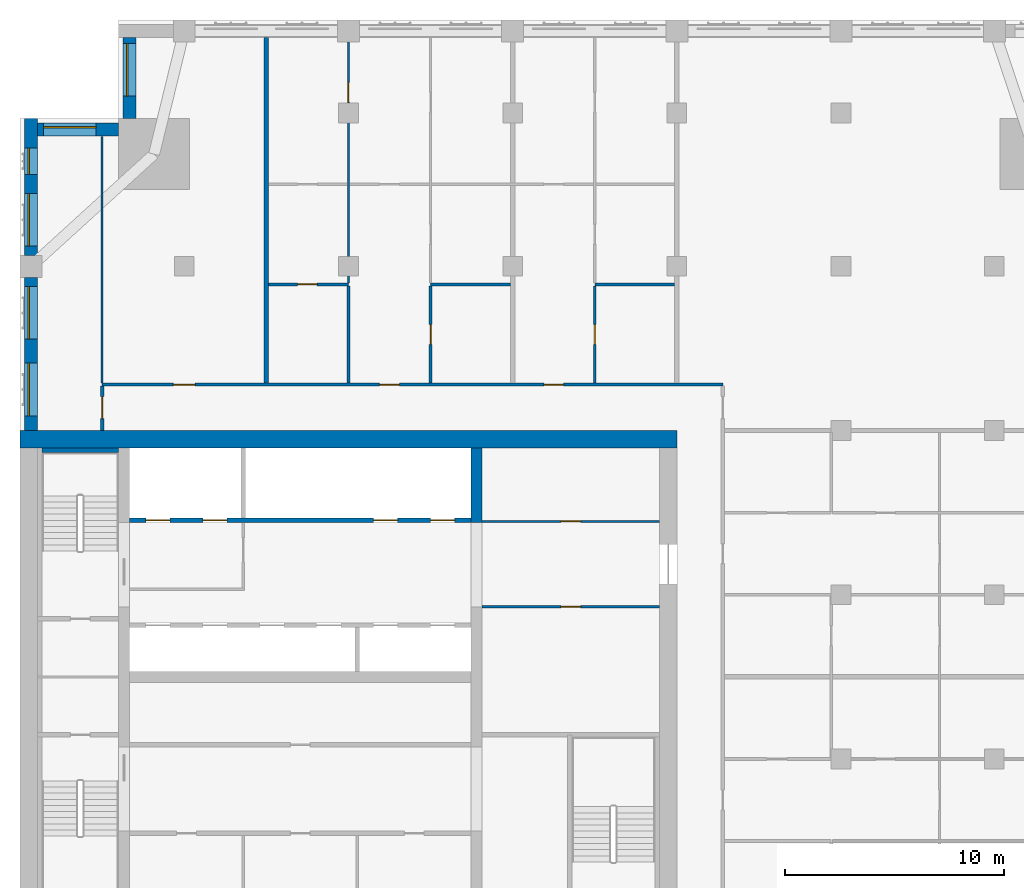
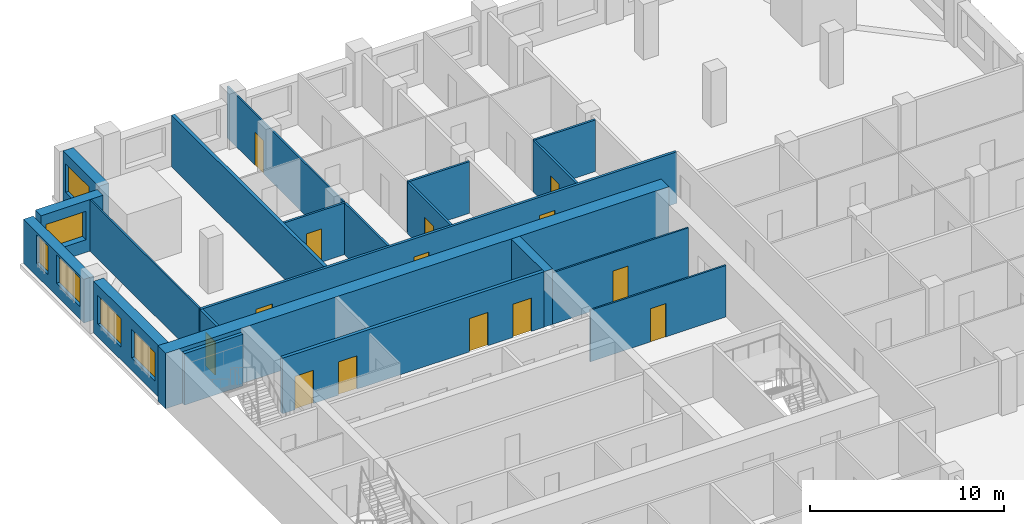
# One storey, part 10 of 14: 21 walls, 14 doors, 6 windows, 20 openings.
"""IFC4 building model written with IfcOpenShell, lengths in metres."""

from ifc_helpers import new_model, si_unit, direction, frame, frame_2d, origin, place, context, subcontext, project, spatial, rectangle, extrude, material, layer, layer_set, type_object, element, fill, save


model = new_model("IFC4")

# Units and contexts
model_context = context("Model", 3, precision=1e-05, world=origin(), true_north=direction((0.0, 1.0)))
body_context = subcontext(model_context, "Body", "Model", "MODEL_VIEW")
ifc_project = project(units=[si_unit("LENGTHUNIT", "METRE"), si_unit("AREAUNIT", "SQUARE_METRE"), si_unit("VOLUMEUNIT", "CUBIC_METRE"), si_unit("PLANEANGLEUNIT", "RADIAN"), si_unit("MASSUNIT", "GRAM", prefix="KILO")], contexts=[model_context])

# Site, building, storey
site_placement = place(None, origin())
site = spatial("IfcSite", under=ifc_project, at=site_placement, CompositionType="ELEMENT")
building_placement = place(site_placement, origin())
building = spatial("IfcBuilding", under=site, at=building_placement, Name="Tamorin Gate", CompositionType="ELEMENT")
storey_placement = place(building_placement, frame((0.0, 0.0, 207.199951171875)))
storey = spatial("IfcBuildingStorey", under=building, at=storey_placement, Name="L51", CompositionType="ELEMENT", Elevation=207.199951171875)

# Wall, opening, window
ifc_material_1 = material(Name="Precast concrete C40/50", Category="concrete")
ifc_layer_1 = layer(ifc_material_1, 0.60009765625)
ifc_layer_set_1 = layer_set([ifc_layer_1], Name="Precast concrete C40/50")
wall_type_1 = type_object("IfcWallType", Name="Board-marked concrete facade panel 600", PredefinedType="SOLIDWALL", material=ifc_layer_set_1)
wall_1_placement = place(storey_placement, frame((35.0, 100.449951171875, 0.0), z_axis=(0.0, 0.0, 1.0), x_axis=(0.0, -1.0, 0.0)))
wall_1 = element("IfcWall", 1, at=wall_1_placement, inside=storey, type_object=wall_type_1, Name="Facade panel", PredefinedType="SOLIDWALL", context=body_context, shape_type="SweptSolid", body=[
    extrude(rectangle(XDim=3.699951171875, YDim=0.60009765625, at=frame_2d((1.85009765625, 0.0))), origin(), (0.0, 0.0, 1.0), 3.25),
])
opening_1_placement = place(wall_1_placement, frame((0.27490234375, 0.0, 0.800048828125)))
opening_1 = element("IfcOpeningElement", 2, at=opening_1_placement, cuts=wall_1, Name="Opening WN1", PredefinedType="OPENING", context=body_context, shape_type="SweptSolid", body=[
    extrude(rectangle(XDim=2.39990234375, YDim=1.800048828125, at=frame_2d((1.199951171875, 0.89990234375))), frame((0.0, 0.31005859375, 0.0), z_axis=(0.0, -1.0, 0.0), x_axis=(1.0, 0.0, 0.0)), (0.0, 0.0, 1.0), 0.6201171875),
])
ifc_material_2 = material(Name="Clear glass in aluminium frame", Category="aluminium")
window_type_1 = type_object("IfcWindowType", Name="Deep-set window 2400x1800", PartitioningType="SINGLE_PANEL", PredefinedType="WINDOW", material=ifc_material_2)
window_1_placement = place(opening_1_placement, origin())
window_1 = element("IfcWindow", 3, at=window_1_placement, inside=storey, type_object=window_type_1, Name="Deep-set window", OverallHeight=1.800048828125, OverallWidth=2.39990234375, PartitioningType="SINGLE_PANEL", PredefinedType="WINDOW", context=body_context, shape_type="SweptSolid", body=[
    extrude(rectangle(XDim=2.39990234375, YDim=1.800048828125, at=frame_2d((1.199951171875, 0.89990234375))), frame((0.0, -0.070068359375, 0.0), z_axis=(0.0, -1.0, 0.0), x_axis=(1.0, 0.0, 0.0)), (0.0, 0.0, 1.0), 0.06005859375),
])
fill(opening_1, window_1)

wall_2_placement = place(storey_placement, frame((34.5, 96.25, 0.0), z_axis=(0.0, 0.0, 1.0), x_axis=(-1.0, 0.0, 0.0)))
wall_2 = element("IfcWall", 4, at=wall_2_placement, inside=storey, type_object=wall_type_1, Name="Facade panel", PredefinedType="SOLIDWALL", context=body_context, shape_type="SweptSolid", body=[
    extrude(rectangle(XDim=3.699951171875, YDim=0.60009765625, at=frame_2d((1.85009765625, 0.0))), origin(), (0.0, 0.0, 1.0), 3.25),
])
opening_2_placement = place(wall_2_placement, frame((1.02490234375, 0.0, 0.800048828125)))
opening_2 = element("IfcOpeningElement", 5, at=opening_2_placement, cuts=wall_2, Name="Opening WN1", PredefinedType="OPENING", context=body_context, shape_type="SweptSolid", body=[
    extrude(rectangle(XDim=2.39990234375, YDim=1.800048828125, at=frame_2d((1.199951171875, 0.89990234375))), frame((0.0, 0.31005859375, 0.0), z_axis=(0.0, -1.0, 0.0), x_axis=(1.0, 0.0, 0.0)), (0.0, 0.0, 1.0), 0.6201171875),
])
window_2_placement = place(opening_2_placement, origin())
window_2 = element("IfcWindow", 6, at=window_2_placement, inside=storey, type_object=window_type_1, Name="Deep-set window", OverallHeight=1.800048828125, OverallWidth=2.39990234375, PartitioningType="SINGLE_PANEL", PredefinedType="WINDOW", context=body_context, shape_type="SweptSolid", body=[
    extrude(rectangle(XDim=2.39990234375, YDim=1.800048828125, at=frame_2d((1.199951171875, 0.89990234375))), frame((0.0, -0.070068359375, 0.0), z_axis=(0.0, -1.0, 0.0), x_axis=(1.0, 0.0, 0.0)), (0.0, 0.0, 1.0), 0.06005859375),
])
fill(opening_2, window_2)

# Wall, openings, windows
wall_3_placement = place(storey_placement, frame((30.5, 96.75, 0.0), z_axis=(0.0, 0.0, 1.0), x_axis=(0.0, -1.0, 0.0)))
wall_3 = element("IfcWall", 7, at=wall_3_placement, inside=storey, type_object=wall_type_1, Name="Facade panel", PredefinedType="SOLIDWALL", context=body_context, shape_type="SweptSolid", body=[
    extrude(rectangle(XDim=6.25, YDim=0.60009765625, at=frame_2d((3.125, 0.0))), origin(), (0.0, 0.0, 1.0), 2.75),
])
opening_3_placement = place(wall_3_placement, frame((3.425048828125, 0.0, 0.800048828125)))
opening_3 = element("IfcOpeningElement", 8, at=opening_3_placement, cuts=wall_3, Name="Opening WN1", PredefinedType="OPENING", context=body_context, shape_type="SweptSolid", body=[
    extrude(rectangle(XDim=2.39990234375, YDim=1.800048828125, at=frame_2d((1.199951171875, 0.89990234375))), frame((0.0, 0.31005859375, 0.0), z_axis=(0.0, -1.0, 0.0), x_axis=(1.0, 0.0, 0.0)), (0.0, 0.0, 1.0), 0.6201171875),
])
opening_4_placement = place(wall_3_placement, frame((1.35009765625, 0.0, 0.800048828125)))
opening_4 = element("IfcOpeningElement", 9, at=opening_4_placement, cuts=wall_3, Name="Opening WN3", PredefinedType="OPENING", context=body_context, shape_type="SweptSolid", body=[
    extrude(rectangle(XDim=1.199951171875, YDim=1.800048828125, at=frame_2d((0.60009765625, 0.89990234375))), frame((0.0, 0.31005859375, 0.0), z_axis=(0.0, -1.0, 0.0), x_axis=(1.0, 0.0, 0.0)), (0.0, 0.0, 1.0), 0.6201171875),
])
window_type_2 = type_object("IfcWindowType", Name="Deep-set window 1200x1800", PartitioningType="SINGLE_PANEL", PredefinedType="WINDOW", material=ifc_material_2)
window_3_placement = place(opening_4_placement, origin())
window_3 = element("IfcWindow", 10, at=window_3_placement, inside=storey, type_object=window_type_2, Name="Deep-set window", OverallHeight=1.800048828125, OverallWidth=1.199951171875, PartitioningType="SINGLE_PANEL", PredefinedType="WINDOW", context=body_context, shape_type="SweptSolid", body=[
    extrude(rectangle(XDim=1.199951171875, YDim=1.800048828125, at=frame_2d((0.60009765625, 0.89990234375))), frame((0.0, -0.070068359375, 0.0), z_axis=(0.0, -1.0, 0.0), x_axis=(1.0, 0.0, 0.0)), (0.0, 0.0, 1.0), 0.06005859375),
])
fill(opening_4, window_3)
window_4_placement = place(opening_3_placement, origin())
window_4 = element("IfcWindow", 11, at=window_4_placement, inside=storey, type_object=window_type_1, Name="Deep-set window", OverallHeight=1.800048828125, OverallWidth=2.39990234375, PartitioningType="SINGLE_PANEL", PredefinedType="WINDOW", context=body_context, shape_type="SweptSolid", body=[
    extrude(rectangle(XDim=2.39990234375, YDim=1.800048828125, at=frame_2d((1.199951171875, 0.89990234375))), frame((0.0, -0.070068359375, 0.0), z_axis=(0.0, -1.0, 0.0), x_axis=(1.0, 0.0, 0.0)), (0.0, 0.0, 1.0), 0.06005859375),
])
fill(opening_3, window_4)

wall_4_placement = place(storey_placement, frame((30.5, 89.5, 0.0), z_axis=(0.0, 0.0, 1.0), x_axis=(0.0, -1.0, 0.0)))
wall_4 = element("IfcWall", 12, at=wall_4_placement, inside=storey, type_object=wall_type_1, Name="Facade panel", PredefinedType="SOLIDWALL", context=body_context, shape_type="SweptSolid", body=[
    extrude(rectangle(XDim=7.0, YDim=0.60009765625, at=frame_2d((3.5, 0.0))), origin(), (0.0, 0.0, 1.0), 3.25),
])
opening_5_placement = place(wall_4_placement, frame((3.925048828125, 0.0, 0.800048828125)))
opening_5 = element("IfcOpeningElement", 13, at=opening_5_placement, cuts=wall_4, Name="Opening WN1", PredefinedType="OPENING", context=body_context, shape_type="SweptSolid", body=[
    extrude(rectangle(XDim=2.39990234375, YDim=1.800048828125, at=frame_2d((1.199951171875, 0.89990234375))), frame((0.0, 0.31005859375, 0.0), z_axis=(0.0, -1.0, 0.0), x_axis=(1.0, 0.0, 0.0)), (0.0, 0.0, 1.0), 0.6201171875),
])
opening_6_placement = place(wall_4_placement, frame((0.425048828125, 0.0, 0.800048828125)))
opening_6 = element("IfcOpeningElement", 14, at=opening_6_placement, cuts=wall_4, Name="Opening WN1", PredefinedType="OPENING", context=body_context, shape_type="SweptSolid", body=[
    extrude(rectangle(XDim=2.39990234375, YDim=1.800048828125, at=frame_2d((1.199951171875, 0.89990234375))), frame((0.0, 0.31005859375, 0.0), z_axis=(0.0, -1.0, 0.0), x_axis=(1.0, 0.0, 0.0)), (0.0, 0.0, 1.0), 0.6201171875),
])
window_5_placement = place(opening_5_placement, origin())
window_5 = element("IfcWindow", 15, at=window_5_placement, inside=storey, type_object=window_type_1, Name="Deep-set window", OverallHeight=1.800048828125, OverallWidth=2.39990234375, PartitioningType="SINGLE_PANEL", PredefinedType="WINDOW", context=body_context, shape_type="SweptSolid", body=[
    extrude(rectangle(XDim=2.39990234375, YDim=1.800048828125, at=frame_2d((1.199951171875, 0.89990234375))), frame((0.0, -0.070068359375, 0.0), z_axis=(0.0, -1.0, 0.0), x_axis=(1.0, 0.0, 0.0)), (0.0, 0.0, 1.0), 0.06005859375),
])
fill(opening_5, window_5)
window_6_placement = place(opening_6_placement, origin())
window_6 = element("IfcWindow", 16, at=window_6_placement, inside=storey, type_object=window_type_1, Name="Deep-set window", OverallHeight=1.800048828125, OverallWidth=2.39990234375, PartitioningType="SINGLE_PANEL", PredefinedType="WINDOW", context=body_context, shape_type="SweptSolid", body=[
    extrude(rectangle(XDim=2.39990234375, YDim=1.800048828125, at=frame_2d((1.199951171875, 0.89990234375))), frame((0.0, -0.070068359375, 0.0), z_axis=(0.0, -1.0, 0.0), x_axis=(1.0, 0.0, 0.0)), (0.0, 0.0, 1.0), 0.06005859375),
])
fill(opening_6, window_6)

# Wall, openings, doors
ifc_material_3 = material(Name="Gypsum board partition")
ifc_layer_2 = layer(ifc_material_3, 0.14990234375)
ifc_layer_set_2 = layer_set([ifc_layer_2], Name="Corridor wall 150")
wall_type_2 = type_object("IfcWallType", Name="Corridor wall 150", PredefinedType="PARTITIONING", material=ifc_layer_set_2)
wall_5_placement = place(storey_placement, frame((33.75, 84.60009765625, 0.0), z_axis=(0.0, 0.0, 1.0), x_axis=(1.0, 0.0, 0.0)))
wall_5 = element("IfcWall", 17, at=wall_5_placement, inside=storey, type_object=wall_type_2, Name="Corridor wall 150", PredefinedType="PARTITIONING", context=body_context, shape_type="SweptSolid", body=[
    extrude(rectangle(XDim=28.35009765625, YDim=0.14990234375, at=frame_2d((14.175048828125, 0.0))), origin(), (0.0, 0.0, 1.0), 3.25),
])
opening_7_placement = place(wall_5_placement, frame((3.25, 0.0, 0.0)))
opening_7 = element("IfcOpeningElement", 18, at=opening_7_placement, cuts=wall_5, Name="Opening DR1022", PredefinedType="OPENING", context=body_context, shape_type="SweptSolid", body=[
    extrude(rectangle(XDim=1.0, YDim=2.10009765625, at=frame_2d((0.5, 1.050048828125))), frame((0.0, 0.0849609375, 0.0), z_axis=(0.0, -1.0, 0.0), x_axis=(1.0, 0.0, 0.0)), (0.0, 0.0, 1.0), 0.169921875),
])
opening_8_placement = place(wall_5_placement, frame((12.675048828125, 0.0, 0.0)))
opening_8 = element("IfcOpeningElement", 19, at=opening_8_placement, cuts=wall_5, Name="Opening DR1025", PredefinedType="OPENING", context=body_context, shape_type="SweptSolid", body=[
    extrude(rectangle(XDim=0.89990234375, YDim=2.10009765625, at=frame_2d((0.449951171875, 1.050048828125))), frame((0.0, 0.0849609375, 0.0), z_axis=(0.0, -1.0, 0.0), x_axis=(1.0, 0.0, 0.0)), (0.0, 0.0, 1.0), 0.169921875),
])
opening_9_placement = place(wall_5_placement, frame((20.175048828125, 0.0, 0.0)))
opening_9 = element("IfcOpeningElement", 20, at=opening_9_placement, cuts=wall_5, Name="Opening DR1031", PredefinedType="OPENING", context=body_context, shape_type="SweptSolid", body=[
    extrude(rectangle(XDim=0.89990234375, YDim=2.10009765625, at=frame_2d((0.449951171875, 1.050048828125))), frame((0.0, 0.0849609375, 0.0), z_axis=(0.0, -1.0, 0.0), x_axis=(1.0, 0.0, 0.0)), (0.0, 0.0, 1.0), 0.169921875),
])
ifc_material_4 = material(Name="Timber door leaf", Category="wood")
door_type_1 = type_object("IfcDoorType", Name="Door 1000 x 2100 FD30S", OperationType="NOTDEFINED", PredefinedType="DOOR", material=ifc_material_4)
door_1_placement = place(opening_7_placement, origin())
door_1 = element("IfcDoor", 21, at=door_1_placement, inside=storey, type_object=door_type_1, Name="Door DR1022", OperationType="SINGLE_SWING_LEFT", OverallHeight=2.10009765625, OverallWidth=1.0, PredefinedType="DOOR", context=body_context, shape_type="SweptSolid", body=[
    extrude(rectangle(XDim=1.0, YDim=2.10009765625, at=frame_2d((0.5, 1.050048828125))), frame((0.0, 0.02490234375, 0.0), z_axis=(0.0, -1.0, 0.0), x_axis=(1.0, 0.0, 0.0)), (0.0, 0.0, 1.0), 0.050048828125),
])
fill(opening_7, door_1)
door_type_2 = type_object("IfcDoorType", Name="Door 900 x 2100 FD30S", OperationType="NOTDEFINED", PredefinedType="DOOR", material=ifc_material_4)
door_2_placement = place(opening_8_placement, origin())
door_2 = element("IfcDoor", 22, at=door_2_placement, inside=storey, type_object=door_type_2, Name="Door DR1025", OperationType="SINGLE_SWING_LEFT", OverallHeight=2.10009765625, OverallWidth=0.89990234375, PredefinedType="DOOR", context=body_context, shape_type="SweptSolid", body=[
    extrude(rectangle(XDim=0.89990234375, YDim=2.10009765625, at=frame_2d((0.449951171875, 1.050048828125))), frame((0.0, 0.02490234375, 0.0), z_axis=(0.0, -1.0, 0.0), x_axis=(1.0, 0.0, 0.0)), (0.0, 0.0, 1.0), 0.050048828125),
])
fill(opening_8, door_2)
door_3_placement = place(opening_9_placement, origin())
door_3 = element("IfcDoor", 23, at=door_3_placement, inside=storey, type_object=door_type_2, Name="Door DR1031", OperationType="SINGLE_SWING_LEFT", OverallHeight=2.10009765625, OverallWidth=0.89990234375, PredefinedType="DOOR", context=body_context, shape_type="SweptSolid", body=[
    extrude(rectangle(XDim=0.89990234375, YDim=2.10009765625, at=frame_2d((0.449951171875, 1.050048828125))), frame((0.0, 0.02490234375, 0.0), z_axis=(0.0, -1.0, 0.0), x_axis=(1.0, 0.0, 0.0)), (0.0, 0.0, 1.0), 0.050048828125),
])
fill(opening_9, door_3)

# Wall, opening, door
wall_6_placement = place(storey_placement, frame((33.75, 82.5, 0.0), z_axis=(0.0, 0.0, 1.0), x_axis=(0.0, 1.0, 0.0)))
wall_6 = element("IfcWall", 24, at=wall_6_placement, inside=storey, type_object=wall_type_2, Name="Corridor wall 150", PredefinedType="PARTITIONING", context=body_context, shape_type="SweptSolid", body=[
    extrude(rectangle(XDim=2.02490234375, YDim=0.14990234375, at=frame_2d((1.012451171875, 0.0))), origin(), (0.0, 0.0, 1.0), 3.25),
])
opening_10_placement = place(wall_6_placement, frame((0.550048828125, 0.0, 0.0)))
opening_10 = element("IfcOpeningElement", 25, at=opening_10_placement, cuts=wall_6, Name="Opening DR1021", PredefinedType="OPENING", context=body_context, shape_type="SweptSolid", body=[
    extrude(rectangle(XDim=1.0, YDim=2.10009765625, at=frame_2d((0.5, 1.050048828125))), frame((0.0, 0.0849609375, 0.0), z_axis=(0.0, -1.0, 0.0), x_axis=(1.0, 0.0, 0.0)), (0.0, 0.0, 1.0), 0.169921875),
])
door_4_placement = place(opening_10_placement, origin())
door_4 = element("IfcDoor", 26, at=door_4_placement, inside=storey, type_object=door_type_1, Name="Door DR1021", OperationType="SINGLE_SWING_LEFT", OverallHeight=2.10009765625, OverallWidth=1.0, PredefinedType="DOOR", context=body_context, shape_type="SweptSolid", body=[
    extrude(rectangle(XDim=1.0, YDim=2.10009765625, at=frame_2d((0.5, 1.050048828125))), frame((0.0, 0.02490234375, 0.0), z_axis=(0.0, -1.0, 0.0), x_axis=(1.0, 0.0, 0.0)), (0.0, 0.0, 1.0), 0.050048828125),
])
fill(opening_10, door_4)

# Wall
ifc_layer_3 = layer(ifc_material_3, 0.199951171875)
ifc_layer_set_3 = layer_set([ifc_layer_3], Name="Demising wall 200")
wall_type_3 = type_object("IfcWallType", Name="Demising wall 200", PredefinedType="PARTITIONING", material=ifc_layer_set_3)
wall_7_placement = place(storey_placement, frame((41.25, 84.675048828125, 0.0), z_axis=(0.0, 0.0, 1.0), x_axis=(0.0, 1.0, 0.0)))
element("IfcWall", 27, at=wall_7_placement, inside=storey, type_object=wall_type_3, Name="Demising wall 200", PredefinedType="PARTITIONING", context=body_context, shape_type="SweptSolid", body=[
    extrude(rectangle(XDim=15.764892578125, YDim=0.199951171875, at=frame_2d((7.88232421875, 0.0))), origin(), (0.0, 0.0, 1.0), 3.25),
])

# Wall, openings, doors
ifc_material_5 = material(Name="Concrete C32/40", Category="concrete")
ifc_layer_4 = layer(ifc_material_5, 0.199951171875)
ifc_layer_set_4 = layer_set([ifc_layer_4], Name="Lift lobby face wall 200 EI 120")
wall_type_4 = type_object("IfcWallType", Name="Lift lobby face wall 200 EI 120", PredefinedType="SOLIDWALL", material=ifc_layer_set_4)
wall_8_placement = place(storey_placement, frame((35.0, 78.39990234375, 0.0), z_axis=(0.0, 0.0, 1.0), x_axis=(1.0, 0.0, 0.0)))
wall_8 = element("IfcWall", 28, at=wall_8_placement, inside=storey, type_object=wall_type_4, Name="Lift lobby face wall", PredefinedType="SOLIDWALL", context=body_context, shape_type="SweptSolid", body=[
    extrude(rectangle(XDim=15.60009765625, YDim=0.199951171875, at=frame_2d((7.800048828125, 0.0))), origin(), (0.0, 0.0, 1.0), 3.5),
])
opening_11_placement = place(wall_8_placement, frame((0.75, 0.0, 0.0)))
opening_11 = element("IfcOpeningElement", 29, at=opening_11_placement, cuts=wall_8, Name="Opening LD17", PredefinedType="OPENING", context=body_context, shape_type="SweptSolid", body=[
    extrude(rectangle(XDim=1.10009765625, YDim=2.10009765625, at=frame_2d((0.550048828125, 1.050048828125))), frame((0.0, 0.10986328125, 0.0), z_axis=(0.0, -1.0, 0.0), x_axis=(1.0, 0.0, 0.0)), (0.0, 0.0, 1.0), 0.219970703125),
])
opening_12_placement = place(wall_8_placement, frame((3.35009765625, 0.0, 0.0)))
opening_12 = element("IfcOpeningElement", 30, at=opening_12_placement, cuts=wall_8, Name="Opening LD18", PredefinedType="OPENING", context=body_context, shape_type="SweptSolid", body=[
    extrude(rectangle(XDim=1.10009765625, YDim=2.10009765625, at=frame_2d((0.550048828125, 1.050048828125))), frame((0.0, 0.10986328125, 0.0), z_axis=(0.0, -1.0, 0.0), x_axis=(1.0, 0.0, 0.0)), (0.0, 0.0, 1.0), 0.219970703125),
])
opening_13_placement = place(wall_8_placement, frame((11.14990234375, 0.0, 0.0)))
opening_13 = element("IfcOpeningElement", 31, at=opening_13_placement, cuts=wall_8, Name="Opening LD21", PredefinedType="OPENING", context=body_context, shape_type="SweptSolid", body=[
    extrude(rectangle(XDim=1.10009765625, YDim=2.10009765625, at=frame_2d((0.550048828125, 1.050048828125))), frame((0.0, 0.10986328125, 0.0), z_axis=(0.0, -1.0, 0.0), x_axis=(1.0, 0.0, 0.0)), (0.0, 0.0, 1.0), 0.219970703125),
])
opening_14_placement = place(wall_8_placement, frame((13.75, 0.0, 0.0)))
opening_14 = element("IfcOpeningElement", 32, at=opening_14_placement, cuts=wall_8, Name="Opening LD22", PredefinedType="OPENING", context=body_context, shape_type="SweptSolid", body=[
    extrude(rectangle(XDim=1.10009765625, YDim=2.10009765625, at=frame_2d((0.550048828125, 1.050048828125))), frame((0.0, 0.10986328125, 0.0), z_axis=(0.0, -1.0, 0.0), x_axis=(1.0, 0.0, 0.0)), (0.0, 0.0, 1.0), 0.219970703125),
])
ifc_material_6 = material(Name="Stainless steel sliding door", Category="steel")
door_type_3 = type_object("IfcDoorType", Name="Lift landing door 1100 x 2100 E 90", OperationType="DOUBLE_DOOR_SLIDING", PredefinedType="DOOR", material=ifc_material_6)
door_5_placement = place(opening_11_placement, origin())
door_5 = element("IfcDoor", 33, at=door_5_placement, inside=storey, type_object=door_type_3, Name="FF1 landing door", OperationType="DOUBLE_DOOR_SLIDING", OverallHeight=2.10009765625, OverallWidth=1.10009765625, PredefinedType="DOOR", context=body_context, shape_type="SweptSolid", body=[
    extrude(rectangle(XDim=1.10009765625, YDim=2.10009765625, at=frame_2d((0.550048828125, 1.050048828125))), frame((0.0, 0.02490234375, 0.0), z_axis=(0.0, -1.0, 0.0), x_axis=(1.0, 0.0, 0.0)), (0.0, 0.0, 1.0), 0.050048828125),
])
fill(opening_11, door_5)
door_6_placement = place(opening_12_placement, origin())
door_6 = element("IfcDoor", 34, at=door_6_placement, inside=storey, type_object=door_type_3, Name="FF2 landing door", OperationType="DOUBLE_DOOR_SLIDING", OverallHeight=2.10009765625, OverallWidth=1.10009765625, PredefinedType="DOOR", context=body_context, shape_type="SweptSolid", body=[
    extrude(rectangle(XDim=1.10009765625, YDim=2.10009765625, at=frame_2d((0.550048828125, 1.050048828125))), frame((0.0, 0.02490234375, 0.0), z_axis=(0.0, -1.0, 0.0), x_axis=(1.0, 0.0, 0.0)), (0.0, 0.0, 1.0), 0.050048828125),
])
fill(opening_12, door_6)
door_7_placement = place(opening_13_placement, origin())
door_7 = element("IfcDoor", 35, at=door_7_placement, inside=storey, type_object=door_type_3, Name="SV1 landing door", OperationType="DOUBLE_DOOR_SLIDING", OverallHeight=2.10009765625, OverallWidth=1.10009765625, PredefinedType="DOOR", context=body_context, shape_type="SweptSolid", body=[
    extrude(rectangle(XDim=1.10009765625, YDim=2.10009765625, at=frame_2d((0.550048828125, 1.050048828125))), frame((0.0, 0.02490234375, 0.0), z_axis=(0.0, -1.0, 0.0), x_axis=(1.0, 0.0, 0.0)), (0.0, 0.0, 1.0), 0.050048828125),
])
fill(opening_13, door_7)
door_8_placement = place(opening_14_placement, origin())
door_8 = element("IfcDoor", 36, at=door_8_placement, inside=storey, type_object=door_type_3, Name="SV2 landing door", OperationType="DOUBLE_DOOR_SLIDING", OverallHeight=2.10009765625, OverallWidth=1.10009765625, PredefinedType="DOOR", context=body_context, shape_type="SweptSolid", body=[
    extrude(rectangle(XDim=1.10009765625, YDim=2.10009765625, at=frame_2d((0.550048828125, 1.050048828125))), frame((0.0, 0.02490234375, 0.0), z_axis=(0.0, -1.0, 0.0), x_axis=(1.0, 0.0, 0.0)), (0.0, 0.0, 1.0), 0.050048828125),
])
fill(opening_14, door_8)

# Walls
ifc_material_7 = material(Name="Concrete C60/75", Category="concrete")
ifc_layer_5 = layer(ifc_material_7, 0.5)
ifc_layer_set_5 = layer_set([ifc_layer_5], Name="RC core internal wall 500 C60/75")
wall_type_5 = type_object("IfcWallType", Name="RC core internal wall 500 C60/75", PredefinedType="SHEAR", material=ifc_layer_set_5)
wall_9_placement = place(storey_placement, frame((50.85009765625, 78.300048828125, 0.0), z_axis=(0.0, 0.0, 1.0), x_axis=(0.0, 1.0, 0.0)))
element("IfcWall", 37, at=wall_9_placement, inside=storey, type_object=wall_type_5, Name="Core cross wall L51", PredefinedType="SHEAR", context=body_context, shape_type="SweptSolid", body=[
    extrude(rectangle(XDim=3.39990234375, YDim=0.5, at=frame_2d((1.699951171875, 0.0))), origin(), (0.0, 0.0, 1.0), 3.5),
])
ifc_layer_6 = layer(ifc_material_7, 0.800048828125)
ifc_layer_set_6 = layer_set([ifc_layer_6], Name="RC core wall 800 C60/75")
wall_type_6 = type_object("IfcWallType", Name="RC core wall 800 C60/75", PredefinedType="SHEAR", material=ifc_layer_set_6)
wall_10_placement = place(storey_placement, frame((30.0, 82.10009765625, 0.0), z_axis=(0.0, 0.0, 1.0), x_axis=(1.0, 0.0, 0.0)))
element("IfcWall", 38, at=wall_10_placement, inside=storey, type_object=wall_type_6, Name="Core wall L51", PredefinedType="SHEAR", context=body_context, shape_type="SweptSolid", body=[
    extrude(rectangle(XDim=30.0, YDim=0.800048828125, at=frame_2d((15.0, 0.0))), origin(), (0.0, 0.0, 1.0), 3.5),
])
ifc_layer_7 = layer(ifc_material_3, 0.10009765625)
ifc_layer_set_7 = layer_set([ifc_layer_7], Name="Room partition 100")
wall_type_7 = type_object("IfcWallType", Name="Room partition 100", PredefinedType="PARTITIONING", material=ifc_layer_set_7)
wall_11_placement = place(storey_placement, frame((33.75, 84.675048828125, 0.0), z_axis=(0.0, 0.0, 1.0), x_axis=(0.0, 1.0, 0.0)))
element("IfcWall", 39, at=wall_11_placement, inside=storey, type_object=wall_type_7, Name="Room partition 100", PredefinedType="PARTITIONING", context=body_context, shape_type="SweptSolid", body=[
    extrude(rectangle(XDim=11.264892578125, YDim=0.10009765625, at=frame_2d((5.63232421875, 0.0))), origin(), (0.0, 0.0, 1.0), 3.25),
])

# Wall, opening, door
wall_12_placement = place(storey_placement, frame((45.0, 89.237548828125, 0.0), z_axis=(0.0, 0.0, 1.0), x_axis=(0.0, 1.0, 0.0)))
wall_12 = element("IfcWall", 40, at=wall_12_placement, inside=storey, type_object=wall_type_7, Name="Room partition 100", PredefinedType="PARTITIONING", context=body_context, shape_type="SweptSolid", body=[
    extrude(rectangle(XDim=12.012451171875, YDim=0.10009765625, at=frame_2d((6.00634765625, 0.0))), origin(), (0.0, 0.0, 1.0), 3.25),
])
opening_15_placement = place(wall_12_placement, frame((8.262451171875, 0.0, 0.0)))
opening_15 = element("IfcOpeningElement", 41, at=opening_15_placement, cuts=wall_12, Name="Opening DR1029", PredefinedType="OPENING", context=body_context, shape_type="SweptSolid", body=[
    extrude(rectangle(XDim=0.89990234375, YDim=2.10009765625, at=frame_2d((0.449951171875, 1.050048828125))), frame((0.0, 0.06005859375, 0.0), z_axis=(0.0, -1.0, 0.0), x_axis=(1.0, 0.0, 0.0)), (0.0, 0.0, 1.0), 0.1201171875),
])
door_type_4 = type_object("IfcDoorType", Name="Door 900 x 2100", OperationType="NOTDEFINED", PredefinedType="DOOR", material=ifc_material_4)
door_9_placement = place(opening_15_placement, origin())
door_9 = element("IfcDoor", 42, at=door_9_placement, inside=storey, type_object=door_type_4, Name="Door DR1029", OperationType="SINGLE_SWING_RIGHT", OverallHeight=2.10009765625, OverallWidth=0.89990234375, PredefinedType="DOOR", context=body_context, shape_type="SweptSolid", body=[
    extrude(rectangle(XDim=0.89990234375, YDim=2.10009765625, at=frame_2d((0.449951171875, 1.050048828125))), frame((0.0, 0.02490234375, 0.0), z_axis=(0.0, -1.0, 0.0), x_axis=(1.0, 0.0, 0.0)), (0.0, 0.0, 1.0), 0.050048828125),
])
fill(opening_15, door_9)

ifc_layer_8 = layer(ifc_material_3, 0.10009765625)
ifc_layer_set_8 = layer_set([ifc_layer_8], Name="Service room partition 100 EI 60")
wall_type_8 = type_object("IfcWallType", Name="Service room partition 100 EI 60", PredefinedType="PARTITIONING", material=ifc_layer_set_8)
wall_13_placement = place(storey_placement, frame((51.10009765625, 74.449951171875, 0.0), z_axis=(0.0, 0.0, 1.0), x_axis=(1.0, 0.0, 0.0)))
wall_13 = element("IfcWall", 43, at=wall_13_placement, inside=storey, type_object=wall_type_8, Name="Service room wall", PredefinedType="PARTITIONING", context=body_context, shape_type="SweptSolid", body=[
    extrude(rectangle(XDim=8.099853515625, YDim=0.10009765625, at=frame_2d((4.0498046875, 0.0))), origin(), (0.0, 0.0, 1.0), 3.25),
])
opening_16_placement = place(wall_13_placement, frame((3.60009765625, 0.0, 0.0)))
opening_16 = element("IfcOpeningElement", 44, at=opening_16_placement, cuts=wall_13, Name="Opening DR1", PredefinedType="OPENING", context=body_context, shape_type="SweptSolid", body=[
    extrude(rectangle(XDim=0.89990234375, YDim=2.10009765625, at=frame_2d((0.449951171875, 1.050048828125))), frame((0.0, 0.06005859375, 0.0), z_axis=(0.0, -1.0, 0.0), x_axis=(1.0, 0.0, 0.0)), (0.0, 0.0, 1.0), 0.1201171875),
])
ifc_material_8 = material(Name="Steel fire door", Category="steel")
door_type_5 = type_object("IfcDoorType", Name="Riser access door 900 x 2100 EI 120", OperationType="SINGLE_SWING_LEFT", PredefinedType="DOOR", material=ifc_material_8)
door_10_placement = place(opening_16_placement, origin())
door_10 = element("IfcDoor", 45, at=door_10_placement, inside=storey, type_object=door_type_5, Name="Duct riser door", OperationType="SINGLE_SWING_LEFT", OverallHeight=2.10009765625, OverallWidth=0.89990234375, PredefinedType="DOOR", context=body_context, shape_type="SweptSolid", body=[
    extrude(rectangle(XDim=0.89990234375, YDim=2.10009765625, at=frame_2d((0.449951171875, 1.050048828125))), frame((0.0, 0.02490234375, 0.0), z_axis=(0.0, -1.0, 0.0), x_axis=(1.0, 0.0, 0.0)), (0.0, 0.0, 1.0), 0.050048828125),
])
fill(opening_16, door_10)

wall_14_placement = place(storey_placement, frame((51.10009765625, 78.35009765625, 0.0), z_axis=(0.0, 0.0, 1.0), x_axis=(1.0, 0.0, 0.0)))
wall_14 = element("IfcWall", 46, at=wall_14_placement, inside=storey, type_object=wall_type_8, Name="Service room wall", PredefinedType="PARTITIONING", context=body_context, shape_type="SweptSolid", body=[
    extrude(rectangle(XDim=8.099853515625, YDim=0.10009765625, at=frame_2d((4.0498046875, 0.0))), origin(), (0.0, 0.0, 1.0), 3.25),
])
opening_17_placement = place(wall_14_placement, frame((3.60009765625, 0.0, 0.0)))
opening_17 = element("IfcOpeningElement", 47, at=opening_17_placement, cuts=wall_14, Name="Opening DK1", PredefinedType="OPENING", context=body_context, shape_type="SweptSolid", body=[
    extrude(rectangle(XDim=0.89990234375, YDim=2.10009765625, at=frame_2d((0.449951171875, 1.050048828125))), frame((0.0, 0.06005859375, 0.0), z_axis=(0.0, -1.0, 0.0), x_axis=(1.0, 0.0, 0.0)), (0.0, 0.0, 1.0), 0.1201171875),
])
ifc_material_9 = material(Name="Timber fire door", Category="wood")
door_type_6 = type_object("IfcDoorType", Name="Service room door 900 x 2100 EI 60", OperationType="SINGLE_SWING_LEFT", PredefinedType="DOOR", material=ifc_material_9)
door_11_placement = place(opening_17_placement, origin())
door_11 = element("IfcDoor", 48, at=door_11_placement, inside=storey, type_object=door_type_6, Name="Door Pantry", OperationType="SINGLE_SWING_LEFT", OverallHeight=2.10009765625, OverallWidth=0.89990234375, PredefinedType="DOOR", context=body_context, shape_type="SweptSolid", body=[
    extrude(rectangle(XDim=0.89990234375, YDim=2.10009765625, at=frame_2d((0.449951171875, 1.050048828125))), frame((0.0, 0.02490234375, 0.0), z_axis=(0.0, -1.0, 0.0), x_axis=(1.0, 0.0, 0.0)), (0.0, 0.0, 1.0), 0.050048828125),
])
fill(opening_17, door_11)

# Wall
ifc_layer_9 = layer(ifc_material_7, 0.199951171875)
ifc_layer_set_9 = layer_set([ifc_layer_9], Name="Stair lining wall 200 EI 120 C60/75")
wall_type_9 = type_object("IfcWallType", Name="Stair lining wall 200 EI 120 C60/75", PredefinedType="SOLIDWALL", material=ifc_layer_set_9)
wall_15_placement = place(storey_placement, frame((31.0, 81.60009765625, 0.0), z_axis=(0.0, 0.0, 1.0), x_axis=(1.0, 0.0, 0.0)))
element("IfcWall", 49, at=wall_15_placement, inside=storey, type_object=wall_type_9, Name="Stair lining wall", PredefinedType="SOLIDWALL", context=body_context, shape_type="SweptSolid", body=[
    extrude(rectangle(XDim=3.5, YDim=0.199951171875, at=frame_2d((1.75, 0.0))), origin(), (0.0, 0.0, 1.0), 3.25),
])

# Wall, opening, door
ifc_layer_10 = layer(ifc_material_3, 0.125)
ifc_layer_set_10 = layer_set([ifc_layer_10], Name="Wet wall 125")
wall_type_10 = type_object("IfcWallType", Name="Wet wall 125", PredefinedType="PARTITIONING", material=ifc_layer_set_10)
wall_16_placement = place(storey_placement, frame((41.35009765625, 89.175048828125, 0.0), z_axis=(0.0, 0.0, 1.0), x_axis=(1.0, 0.0, 0.0)))
wall_16 = element("IfcWall", 50, at=wall_16_placement, inside=storey, type_object=wall_type_10, Name="Wet wall 125", PredefinedType="PARTITIONING", context=body_context, shape_type="SweptSolid", body=[
    extrude(rectangle(XDim=3.64990234375, YDim=0.125, at=frame_2d((1.824951171875, 0.0))), origin(), (0.0, 0.0, 1.0), 3.25),
])
opening_18_placement = place(wall_16_placement, frame((1.324951171875, 0.0, 0.0)))
opening_18 = element("IfcOpeningElement", 51, at=opening_18_placement, cuts=wall_16, Name="Opening DR1024", PredefinedType="OPENING", context=body_context, shape_type="SweptSolid", body=[
    extrude(rectangle(XDim=0.89990234375, YDim=2.10009765625, at=frame_2d((0.449951171875, 1.050048828125))), frame((0.0, 0.072509765625, 0.0), z_axis=(0.0, -1.0, 0.0), x_axis=(1.0, 0.0, 0.0)), (0.0, 0.0, 1.0), 0.14501953125),
])
door_12_placement = place(opening_18_placement, origin())
door_12 = element("IfcDoor", 52, at=door_12_placement, inside=storey, type_object=door_type_4, Name="Door DR1024", OperationType="SINGLE_SWING_RIGHT", OverallHeight=2.10009765625, OverallWidth=0.89990234375, PredefinedType="DOOR", context=body_context, shape_type="SweptSolid", body=[
    extrude(rectangle(XDim=0.89990234375, YDim=2.10009765625, at=frame_2d((0.449951171875, 1.050048828125))), frame((0.0, 0.02490234375, 0.0), z_axis=(0.0, -1.0, 0.0), x_axis=(1.0, 0.0, 0.0)), (0.0, 0.0, 1.0), 0.050048828125),
])
fill(opening_18, door_12)

# Walls
for number, where, z_axis, x_axis, name in (
    (53, (48.75, 89.175048828125, 0.0), (0.0, 0.0, 1.0), (1.0, 0.0, 0.0), "Wet wall 125"),
    (54, (56.25, 89.175048828125, 0.0), (0.0, 0.0, 1.0), (1.0, 0.0, 0.0), "Wet wall 125"),
):
    element("IfcWall", number, at=place(storey_placement, frame(where, z_axis=z_axis, x_axis=x_axis)), inside=storey, type_object=wall_type_10, Name=name, PredefinedType="PARTITIONING", context=body_context, shape_type="SweptSolid", body=[
        extrude(rectangle(XDim=3.64990234375, YDim=0.125, at=frame_2d((1.824951171875, 0.0))), origin(), (0.0, 0.0, 1.0), 3.25),
    ])
wall_17_placement = place(storey_placement, frame((45.0, 84.675048828125, 0.0), z_axis=(0.0, 0.0, 1.0), x_axis=(0.0, 1.0, 0.0)))
element("IfcWall", 55, at=wall_17_placement, inside=storey, type_object=wall_type_10, Name="Wet wall 125", PredefinedType="PARTITIONING", context=body_context, shape_type="SweptSolid", body=[
    extrude(rectangle(XDim=4.4375, YDim=0.125, at=frame_2d((2.21875, 0.0))), origin(), (0.0, 0.0, 1.0), 3.25),
])

# Wall, opening, door
wall_18_placement = place(storey_placement, frame((48.75, 84.675048828125, 0.0), z_axis=(0.0, 0.0, 1.0), x_axis=(0.0, 1.0, 0.0)))
wall_18 = element("IfcWall", 56, at=wall_18_placement, inside=storey, type_object=wall_type_10, Name="Wet wall 125", PredefinedType="PARTITIONING", context=body_context, shape_type="SweptSolid", body=[
    extrude(rectangle(XDim=4.4375, YDim=0.125, at=frame_2d((2.21875, 0.0))), origin(), (0.0, 0.0, 1.0), 3.25),
])
opening_19_placement = place(wall_18_placement, frame((1.762451171875, 0.0, 0.0)))
opening_19 = element("IfcOpeningElement", 57, at=opening_19_placement, cuts=wall_18, Name="Opening DR1028", PredefinedType="OPENING", context=body_context, shape_type="SweptSolid", body=[
    extrude(rectangle(XDim=0.89990234375, YDim=2.10009765625, at=frame_2d((0.449951171875, 1.050048828125))), frame((0.0, 0.072509765625, 0.0), z_axis=(0.0, -1.0, 0.0), x_axis=(1.0, 0.0, 0.0)), (0.0, 0.0, 1.0), 0.14501953125),
])
door_13_placement = place(opening_19_placement, origin())
door_13 = element("IfcDoor", 58, at=door_13_placement, inside=storey, type_object=door_type_4, Name="Door DR1028", OperationType="SINGLE_SWING_LEFT", OverallHeight=2.10009765625, OverallWidth=0.89990234375, PredefinedType="DOOR", context=body_context, shape_type="SweptSolid", body=[
    extrude(rectangle(XDim=0.89990234375, YDim=2.10009765625, at=frame_2d((0.449951171875, 1.050048828125))), frame((0.0, 0.02490234375, 0.0), z_axis=(0.0, -1.0, 0.0), x_axis=(1.0, 0.0, 0.0)), (0.0, 0.0, 1.0), 0.050048828125),
])
fill(opening_19, door_13)

wall_19_placement = place(storey_placement, frame((56.25, 84.675048828125, 0.0), z_axis=(0.0, 0.0, 1.0), x_axis=(0.0, 1.0, 0.0)))
wall_19 = element("IfcWall", 59, at=wall_19_placement, inside=storey, type_object=wall_type_10, Name="Wet wall 125", PredefinedType="PARTITIONING", context=body_context, shape_type="SweptSolid", body=[
    extrude(rectangle(XDim=4.4375, YDim=0.125, at=frame_2d((2.21875, 0.0))), origin(), (0.0, 0.0, 1.0), 3.25),
])
opening_20_placement = place(wall_19_placement, frame((1.762451171875, 0.0, 0.0)))
opening_20 = element("IfcOpeningElement", 60, at=opening_20_placement, cuts=wall_19, Name="Opening DR1034", PredefinedType="OPENING", context=body_context, shape_type="SweptSolid", body=[
    extrude(rectangle(XDim=0.89990234375, YDim=2.10009765625, at=frame_2d((0.449951171875, 1.050048828125))), frame((0.0, 0.072509765625, 0.0), z_axis=(0.0, -1.0, 0.0), x_axis=(1.0, 0.0, 0.0)), (0.0, 0.0, 1.0), 0.14501953125),
])
door_14_placement = place(opening_20_placement, origin())
door_14 = element("IfcDoor", 61, at=door_14_placement, inside=storey, type_object=door_type_4, Name="Door DR1034", OperationType="SINGLE_SWING_LEFT", OverallHeight=2.10009765625, OverallWidth=0.89990234375, PredefinedType="DOOR", context=body_context, shape_type="SweptSolid", body=[
    extrude(rectangle(XDim=0.89990234375, YDim=2.10009765625, at=frame_2d((0.449951171875, 1.050048828125))), frame((0.0, 0.02490234375, 0.0), z_axis=(0.0, -1.0, 0.0), x_axis=(1.0, 0.0, 0.0)), (0.0, 0.0, 1.0), 0.050048828125),
])
fill(opening_20, door_14)

save(model, "model.ifc")
